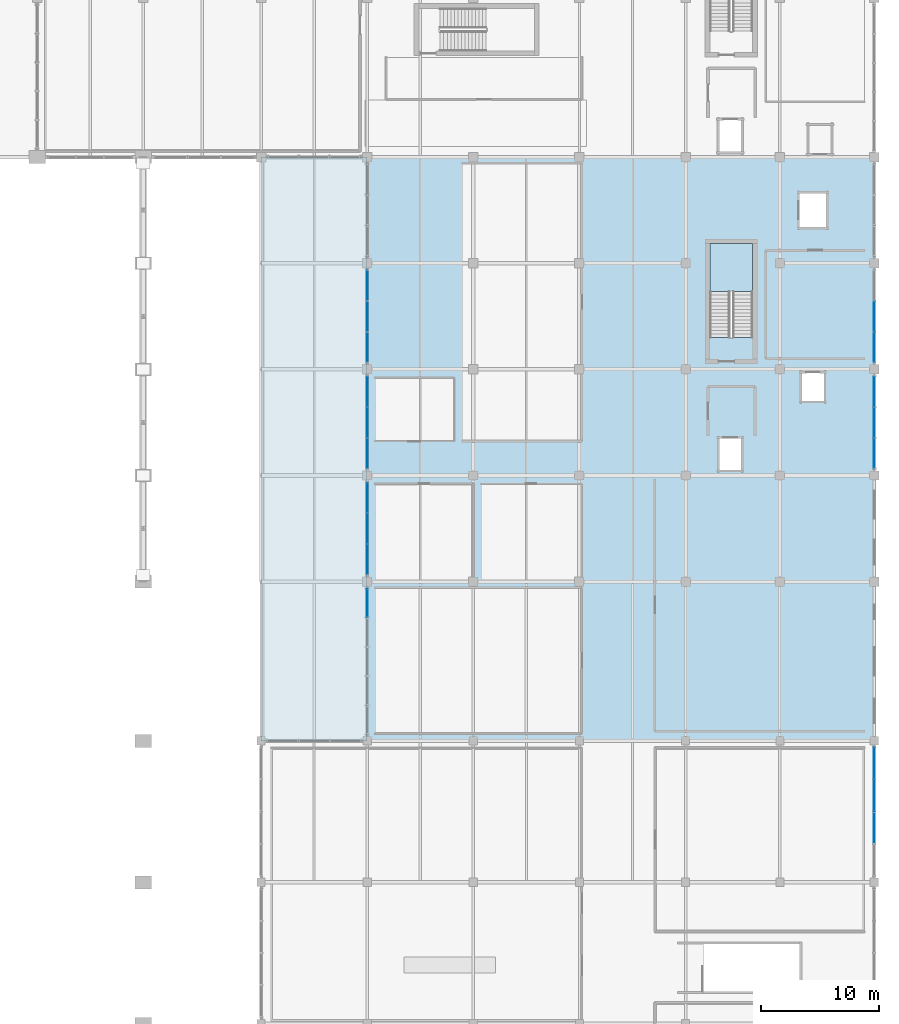
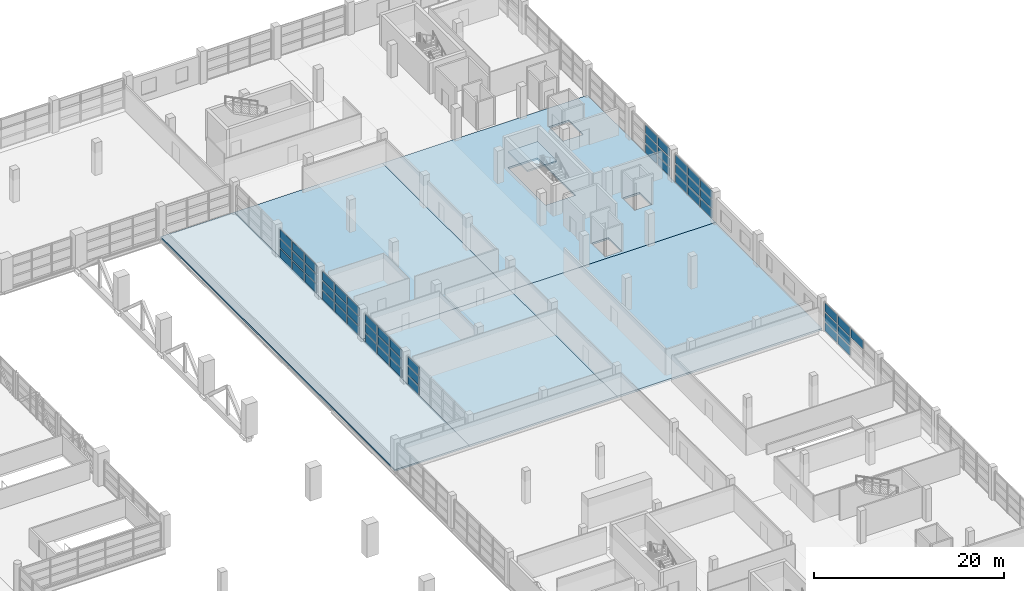
# One storey, part 113 of 136: 52 plates, 6 slabs, 8 elements without a shape of their own.
"""IFC4 building model written with IfcOpenShell, lengths in metres."""

from ifc_helpers import new_model, si_unit, direction, frame, origin, origin_2d, place, context, subcontext, project, spatial, polyline, rectangle, outline, extrude, material, layer, layer_set, type_object, element, aggregate, save


model = new_model("IFC4")

# Units and contexts
model_context = context("Model", 3, precision=1e-05, world=origin(), true_north=direction((0.0, 1.0)))
body_context = subcontext(model_context, "Body", "Model", "MODEL_VIEW")
ifc_project = project(units=[si_unit("LENGTHUNIT", "METRE"), si_unit("AREAUNIT", "SQUARE_METRE"), si_unit("VOLUMEUNIT", "CUBIC_METRE"), si_unit("PLANEANGLEUNIT", "RADIAN"), si_unit("MASSUNIT", "GRAM", prefix="KILO")], contexts=[model_context])

# Site, building, storey
site_placement = place(None, origin())
site = spatial("IfcSite", under=ifc_project, at=site_placement, CompositionType="ELEMENT")
building_placement = place(site_placement, origin())
building = spatial("IfcBuilding", under=site, at=building_placement, Name="Chuanluo Vaults Station", CompositionType="ELEMENT")
storey_placement = place(building_placement, frame((0.0, 0.0, 6.60009765625)))
storey = spatial("IfcBuildingStorey", under=building, at=storey_placement, Name="L01", CompositionType="ELEMENT", Elevation=6.60009765625)

# Curtain wall, plates
ifc_material_1 = material(Name="Anodised aluminium 6063-T6", Category="aluminium")
curtain_wall_type_1 = type_object("IfcCurtainWallType", Name="CW-SYS-19", PredefinedType="NOTDEFINED", material=ifc_material_1)
curtain_wall_1_placement = place(storey_placement, origin())
curtain_wall_1 = element("IfcCurtainWall", 1, at=curtain_wall_1_placement, inside=storey, type_object=curtain_wall_type_1, Name="Retail pavilion L01 facade CW", PredefinedType="NOTDEFINED")
ifc_material_2 = material(Name="Ceramic-fritted spandrel glass", Category="glass")
ifc_layer_1 = layer(ifc_material_2, 0.06396484375)
ifc_layer_set_1 = layer_set([ifc_layer_1], Name="Ceramic-fritted spandrel glass")
plate_type_1 = type_object("IfcPlateType", Name="CWP-SPN-42", PredefinedType="SHEET", material=ifc_layer_set_1)
plate_1_placement = place(storey_placement, frame((188.0, 52.106201171875, 0.080078125), z_axis=(0.0, 0.0, 1.0), x_axis=(0.0, -1.0, 0.0)))
plate_1 = element("IfcPlate", 2, at=plate_1_placement, type_object=plate_type_1, Name="Retail pavilion L01 facade CW glazed panel 1.1", PredefinedType="SHEET", context=body_context, shape_type="SweptSolid", body=[
    extrude(rectangle(XDim=2.577392578125, YDim=0.06396484375, at=origin_2d()), origin(), (0.0, 0.0, 1.0), 1.090087890625),
])
plate_2_placement = place(storey_placement, frame((188.0, 49.36865234375, 0.080078125), z_axis=(0.0, 0.0, 1.0), x_axis=(0.0, -1.0, 0.0)))
plate_2 = element("IfcPlate", 3, at=plate_2_placement, type_object=plate_type_1, Name="Retail pavilion L01 facade CW glazed panel 2.1", PredefinedType="SHEET", context=body_context, shape_type="SweptSolid", body=[
    extrude(rectangle(XDim=2.577392578125, YDim=0.06396484375, at=origin_2d()), origin(), (0.0, 0.0, 1.0), 1.090087890625),
])

# Curtain wall, plate
ifc_material_3 = material(Name="Anodised aluminium 6063-T6", Category="aluminium")
curtain_wall_type_2 = type_object("IfcCurtainWallType", Name="CW-SYS-09", PredefinedType="NOTDEFINED", material=ifc_material_3)
curtain_wall_2_placement = place(storey_placement, origin())
curtain_wall_2 = element("IfcCurtainWall", 4, at=curtain_wall_2_placement, inside=storey, type_object=curtain_wall_type_2, Name="Operations L01 facade CW", PredefinedType="NOTDEFINED")
plate_3_placement = place(storey_placement, frame((145.0, 65.68505859375, 0.080078125), z_axis=(0.0, 0.0, 1.0), x_axis=(0.0, 1.0, 0.0)))
plate_3 = element("IfcPlate", 5, at=plate_3_placement, type_object=plate_type_1, Name="Operations L01 facade CW glazed panel 5.1", PredefinedType="SHEET", context=body_context, shape_type="SweptSolid", body=[
    extrude(rectangle(XDim=2.320068359375, YDim=0.06396484375, at=origin_2d()), origin(), (0.0, 0.0, 1.0), 1.090087890625),
])

# Curtain wall, plates
ifc_material_4 = material(Name="Anodised aluminium 6063-T6", Category="aluminium")
curtain_wall_type_3 = type_object("IfcCurtainWallType", Name="CW-SYS-11", PredefinedType="NOTDEFINED", material=ifc_material_4)
curtain_wall_3_placement = place(storey_placement, origin())
curtain_wall_3 = element("IfcCurtainWall", 6, at=curtain_wall_3_placement, inside=storey, type_object=curtain_wall_type_3, Name="Operations L01 facade CW", PredefinedType="NOTDEFINED")
plate_4_placement = place(storey_placement, frame((145.0, 78.38330078125, 0.080078125), z_axis=(0.0, 0.0, 1.0), x_axis=(0.0, 1.0, 0.0)))
plate_4 = element("IfcPlate", 7, at=plate_4_placement, type_object=plate_type_1, Name="Operations L01 facade CW glazed panel 1.1", PredefinedType="SHEET", context=body_context, shape_type="SweptSolid", body=[
    extrude(rectangle(XDim=2.456787109375, YDim=0.06396484375, at=origin_2d()), origin(), (0.0, 0.0, 1.0), 1.090087890625),
])
plate_5_placement = place(storey_placement, frame((145.0, 81.0, 0.080078125), z_axis=(0.0, 0.0, 1.0), x_axis=(0.0, 1.0, 0.0)))
plate_5 = element("IfcPlate", 8, at=plate_5_placement, type_object=plate_type_1, Name="Operations L01 facade CW glazed panel 2.1", PredefinedType="SHEET", context=body_context, shape_type="SweptSolid", body=[
    extrude(rectangle(XDim=2.456787109375, YDim=0.06396484375, at=origin_2d()), origin(), (0.0, 0.0, 1.0), 1.090087890625),
])
plate_6_placement = place(storey_placement, frame((145.0, 83.61669921875, 0.080078125), z_axis=(0.0, 0.0, 1.0), x_axis=(0.0, 1.0, 0.0)))
plate_6 = element("IfcPlate", 9, at=plate_6_placement, type_object=plate_type_1, Name="Operations L01 facade CW glazed panel 3.1", PredefinedType="SHEET", context=body_context, shape_type="SweptSolid", body=[
    extrude(rectangle(XDim=2.456787109375, YDim=0.06396484375, at=origin_2d()), origin(), (0.0, 0.0, 1.0), 1.090087890625),
])

ifc_material_5 = material(Name="Anodised aluminium 6063-T6", Category="aluminium")
curtain_wall_type_4 = type_object("IfcCurtainWallType", Name="CW-SYS-25", PredefinedType="NOTDEFINED", material=ifc_material_5)
curtain_wall_4_placement = place(storey_placement, origin())
curtain_wall_4 = element("IfcCurtainWall", 10, at=curtain_wall_4_placement, inside=storey, type_object=curtain_wall_type_4, Name="Operations L01 facade CW", PredefinedType="NOTDEFINED")
plate_7_placement = place(storey_placement, frame((188.0, 83.61669921875, 0.080078125), z_axis=(0.0, 0.0, 1.0), x_axis=(0.0, -1.0, 0.0)))
plate_7 = element("IfcPlate", 11, at=plate_7_placement, type_object=plate_type_1, Name="Operations L01 facade CW glazed panel 1.1", PredefinedType="SHEET", context=body_context, shape_type="SweptSolid", body=[
    extrude(rectangle(XDim=2.456787109375, YDim=0.06396484375, at=origin_2d()), origin(), (0.0, 0.0, 1.0), 1.090087890625),
])
plate_8_placement = place(storey_placement, frame((188.0, 81.0, 0.080078125), z_axis=(0.0, 0.0, 1.0), x_axis=(0.0, -1.0, 0.0)))
plate_8 = element("IfcPlate", 12, at=plate_8_placement, type_object=plate_type_1, Name="Operations L01 facade CW glazed panel 2.1", PredefinedType="SHEET", context=body_context, shape_type="SweptSolid", body=[
    extrude(rectangle(XDim=2.456787109375, YDim=0.06396484375, at=origin_2d()), origin(), (0.0, 0.0, 1.0), 1.090087890625),
])
plate_9_placement = place(storey_placement, frame((188.0, 78.38330078125, 0.080078125), z_axis=(0.0, 0.0, 1.0), x_axis=(0.0, -1.0, 0.0)))
plate_9 = element("IfcPlate", 13, at=plate_9_placement, type_object=plate_type_1, Name="Operations L01 facade CW glazed panel 3.1", PredefinedType="SHEET", context=body_context, shape_type="SweptSolid", body=[
    extrude(rectangle(XDim=2.456787109375, YDim=0.06396484375, at=origin_2d()), origin(), (0.0, 0.0, 1.0), 1.090087890625),
])

ifc_material_6 = material(Name="Anodised aluminium 6063-T6", Category="aluminium")
curtain_wall_type_5 = type_object("IfcCurtainWallType", Name="CW-SYS-10", PredefinedType="NOTDEFINED", material=ifc_material_6)
curtain_wall_5_placement = place(storey_placement, origin())
curtain_wall_5 = element("IfcCurtainWall", 14, at=curtain_wall_5_placement, inside=storey, type_object=curtain_wall_type_5, Name="Operations L01 facade CW", PredefinedType="NOTDEFINED")
ifc_material_7 = material(Name="Ceramic-fritted spandrel glass", Category="glass")
ifc_layer_2 = layer(ifc_material_7, 0.070068359375)
ifc_layer_set_2 = layer_set([ifc_layer_2], Name="Ceramic-fritted spandrel glass")
plate_type_2 = type_object("IfcPlateType", Name="CWP-SPN-50", PredefinedType="SHEET", material=ifc_layer_set_2)
plate_10_placement = place(storey_placement, frame((145.0, 69.38330078125, 0.080078125), z_axis=(0.0, 0.0, 1.0), x_axis=(0.0, 1.0, 0.0)))
plate_10 = element("IfcPlate", 15, at=plate_10_placement, type_object=plate_type_2, Name="Operations L01 facade CW glazed panel 1.1", PredefinedType="SHEET", context=body_context, shape_type="SweptSolid", body=[
    extrude(rectangle(XDim=2.456787109375, YDim=0.070068359375, at=origin_2d()), origin(), (0.0, 0.0, 1.0), 1.090087890625),
])
plate_11_placement = place(storey_placement, frame((145.0, 72.0, 0.080078125), z_axis=(0.0, 0.0, 1.0), x_axis=(0.0, 1.0, 0.0)))
plate_11 = element("IfcPlate", 16, at=plate_11_placement, type_object=plate_type_2, Name="Operations L01 facade CW glazed panel 2.1", PredefinedType="SHEET", context=body_context, shape_type="SweptSolid", body=[
    extrude(rectangle(XDim=2.456787109375, YDim=0.070068359375, at=origin_2d()), origin(), (0.0, 0.0, 1.0), 1.090087890625),
])
plate_12_placement = place(storey_placement, frame((145.0, 74.61669921875, 0.080078125), z_axis=(0.0, 0.0, 1.0), x_axis=(0.0, 1.0, 0.0)))
plate_12 = element("IfcPlate", 17, at=plate_12_placement, type_object=plate_type_2, Name="Operations L01 facade CW glazed panel 3.1", PredefinedType="SHEET", context=body_context, shape_type="SweptSolid", body=[
    extrude(rectangle(XDim=2.456787109375, YDim=0.070068359375, at=origin_2d()), origin(), (0.0, 0.0, 1.0), 1.090087890625),
])

ifc_material_8 = material(Name="Anodised aluminium 6063-T6", Category="aluminium")
curtain_wall_type_6 = type_object("IfcCurtainWallType", Name="CW-SYS-12", PredefinedType="NOTDEFINED", material=ifc_material_8)
curtain_wall_6_placement = place(storey_placement, origin())
curtain_wall_6 = element("IfcCurtainWall", 18, at=curtain_wall_6_placement, inside=storey, type_object=curtain_wall_type_6, Name="Operations L01 facade CW", PredefinedType="NOTDEFINED")
plate_13_placement = place(storey_placement, frame((145.0, 87.38330078125, 0.080078125), z_axis=(0.0, 0.0, 1.0), x_axis=(0.0, 1.0, 0.0)))
plate_13 = element("IfcPlate", 19, at=plate_13_placement, type_object=plate_type_2, Name="Operations L01 facade CW glazed panel 1.1", PredefinedType="SHEET", context=body_context, shape_type="SweptSolid", body=[
    extrude(rectangle(XDim=2.456787109375, YDim=0.070068359375, at=origin_2d()), origin(), (0.0, 0.0, 1.0), 1.090087890625),
])
plate_14_placement = place(storey_placement, frame((145.0, 90.0, 0.080078125), z_axis=(0.0, 0.0, 1.0), x_axis=(0.0, 1.0, 0.0)))
plate_14 = element("IfcPlate", 20, at=plate_14_placement, type_object=plate_type_2, Name="Operations L01 facade CW glazed panel 2.1", PredefinedType="SHEET", context=body_context, shape_type="SweptSolid", body=[
    extrude(rectangle(XDim=2.456787109375, YDim=0.070068359375, at=origin_2d()), origin(), (0.0, 0.0, 1.0), 1.090087890625),
])
plate_15_placement = place(storey_placement, frame((145.0, 92.61669921875, 0.080078125), z_axis=(0.0, 0.0, 1.0), x_axis=(0.0, 1.0, 0.0)))
plate_15 = element("IfcPlate", 21, at=plate_15_placement, type_object=plate_type_2, Name="Operations L01 facade CW glazed panel 3.1", PredefinedType="SHEET", context=body_context, shape_type="SweptSolid", body=[
    extrude(rectangle(XDim=2.456787109375, YDim=0.070068359375, at=origin_2d()), origin(), (0.0, 0.0, 1.0), 1.090087890625),
])

ifc_material_9 = material(Name="Anodised aluminium 6063-T6", Category="aluminium")
curtain_wall_type_7 = type_object("IfcCurtainWallType", Name="CW-SYS-26", PredefinedType="NOTDEFINED", material=ifc_material_9)
curtain_wall_7_placement = place(storey_placement, origin())
curtain_wall_7 = element("IfcCurtainWall", 22, at=curtain_wall_7_placement, inside=storey, type_object=curtain_wall_type_7, Name="Operations L01 facade CW", PredefinedType="NOTDEFINED")
plate_16_placement = place(storey_placement, frame((188.0, 90.0, 0.080078125), z_axis=(0.0, 0.0, 1.0), x_axis=(0.0, -1.0, 0.0)))
plate_16 = element("IfcPlate", 23, at=plate_16_placement, type_object=plate_type_2, Name="Operations L01 facade CW glazed panel 2.1", PredefinedType="SHEET", context=body_context, shape_type="SweptSolid", body=[
    extrude(rectangle(XDim=2.456787109375, YDim=0.070068359375, at=origin_2d()), origin(), (0.0, 0.0, 1.0), 1.090087890625),
])
plate_17_placement = place(storey_placement, frame((188.0, 87.38330078125, 0.080078125), z_axis=(0.0, 0.0, 1.0), x_axis=(0.0, -1.0, 0.0)))
plate_17 = element("IfcPlate", 24, at=plate_17_placement, type_object=plate_type_2, Name="Operations L01 facade CW glazed panel 3.1", PredefinedType="SHEET", context=body_context, shape_type="SweptSolid", body=[
    extrude(rectangle(XDim=2.456787109375, YDim=0.070068359375, at=origin_2d()), origin(), (0.0, 0.0, 1.0), 1.090087890625),
])

# Plate
ifc_material_10 = material(Name="Double-silver Low-E laminated glass", Category="glass")
ifc_layer_3 = layer(ifc_material_10, 0.0439453125)
ifc_layer_set_3 = layer_set([ifc_layer_3], Name="Double-silver Low-E laminated glass")
plate_type_3 = type_object("IfcPlateType", Name="CWP-VIS-28", PredefinedType="CURTAIN_PANEL", material=ifc_layer_set_3)
plate_18_placement = place(storey_placement, frame((145.0, 87.38330078125, 1.330078125), z_axis=(0.0, 0.0, 1.0), x_axis=(0.0, 1.0, 0.0)))
plate_18 = element("IfcPlate", 25, at=plate_18_placement, type_object=plate_type_3, Name="Operations L01 facade CW glazed panel 1.2", PredefinedType="CURTAIN_PANEL", context=body_context, shape_type="SweptSolid", body=[
    extrude(rectangle(XDim=2.456787109375, YDim=0.0439453125, at=origin_2d()), origin(), (0.0, 0.0, 1.0), 1.090087890625),
])

plate_19_placement = place(storey_placement, frame((145.0, 87.38330078125, 2.580078125), z_axis=(0.0, 0.0, 1.0), x_axis=(0.0, 1.0, 0.0)))
plate_19 = element("IfcPlate", 26, at=plate_19_placement, type_object=plate_type_3, Name="Operations L01 facade CW glazed panel 1.3", PredefinedType="CURTAIN_PANEL", context=body_context, shape_type="SweptSolid", body=[
    extrude(rectangle(XDim=2.456787109375, YDim=0.0439453125, at=origin_2d()), origin(), (0.0, 0.0, 1.0), 1.090087890625),
])

plate_20_placement = place(storey_placement, frame((145.0, 90.0, 1.330078125), z_axis=(0.0, 0.0, 1.0), x_axis=(0.0, 1.0, 0.0)))
plate_20 = element("IfcPlate", 27, at=plate_20_placement, type_object=plate_type_3, Name="Operations L01 facade CW glazed panel 2.2", PredefinedType="CURTAIN_PANEL", context=body_context, shape_type="SweptSolid", body=[
    extrude(rectangle(XDim=2.456787109375, YDim=0.0439453125, at=origin_2d()), origin(), (0.0, 0.0, 1.0), 1.090087890625),
])

plate_21_placement = place(storey_placement, frame((145.0, 90.0, 2.580078125), z_axis=(0.0, 0.0, 1.0), x_axis=(0.0, 1.0, 0.0)))
plate_21 = element("IfcPlate", 28, at=plate_21_placement, type_object=plate_type_3, Name="Operations L01 facade CW glazed panel 2.3", PredefinedType="CURTAIN_PANEL", context=body_context, shape_type="SweptSolid", body=[
    extrude(rectangle(XDim=2.456787109375, YDim=0.0439453125, at=origin_2d()), origin(), (0.0, 0.0, 1.0), 1.090087890625),
])

plate_22_placement = place(storey_placement, frame((145.0, 92.61669921875, 1.330078125), z_axis=(0.0, 0.0, 1.0), x_axis=(0.0, 1.0, 0.0)))
plate_22 = element("IfcPlate", 29, at=plate_22_placement, type_object=plate_type_3, Name="Operations L01 facade CW glazed panel 3.2", PredefinedType="CURTAIN_PANEL", context=body_context, shape_type="SweptSolid", body=[
    extrude(rectangle(XDim=2.456787109375, YDim=0.0439453125, at=origin_2d()), origin(), (0.0, 0.0, 1.0), 1.090087890625),
])

plate_23_placement = place(storey_placement, frame((145.0, 92.61669921875, 2.580078125), z_axis=(0.0, 0.0, 1.0), x_axis=(0.0, 1.0, 0.0)))
plate_23 = element("IfcPlate", 30, at=plate_23_placement, type_object=plate_type_3, Name="Operations L01 facade CW glazed panel 3.3", PredefinedType="CURTAIN_PANEL", context=body_context, shape_type="SweptSolid", body=[
    extrude(rectangle(XDim=2.456787109375, YDim=0.0439453125, at=origin_2d()), origin(), (0.0, 0.0, 1.0), 1.090087890625),
])

aggregate(curtain_wall_6, [plate_13, plate_18, plate_19, plate_14, plate_20, plate_21, plate_15, plate_22, plate_23])

ifc_material_11 = material(Name="Double-silver Low-E laminated glass", Category="glass")
ifc_layer_4 = layer(ifc_material_11, 0.048095703125)
ifc_layer_set_4 = layer_set([ifc_layer_4], Name="Double-silver Low-E laminated glass")
plate_type_4 = type_object("IfcPlateType", Name="CWP-VIS-32", PredefinedType="CURTAIN_PANEL", material=ifc_layer_set_4)
plate_24_placement = place(storey_placement, frame((188.0, 52.106201171875, 1.330078125), z_axis=(0.0, 0.0, 1.0), x_axis=(0.0, -1.0, 0.0)))
plate_24 = element("IfcPlate", 31, at=plate_24_placement, type_object=plate_type_4, Name="Retail pavilion L01 facade CW glazed panel 1.2", PredefinedType="CURTAIN_PANEL", context=body_context, shape_type="SweptSolid", body=[
    extrude(rectangle(XDim=2.577392578125, YDim=0.048095703125, at=origin_2d()), origin(), (0.0, 0.0, 1.0), 1.090087890625),
])

plate_25_placement = place(storey_placement, frame((188.0, 52.106201171875, 2.580078125), z_axis=(0.0, 0.0, 1.0), x_axis=(0.0, -1.0, 0.0)))
plate_25 = element("IfcPlate", 32, at=plate_25_placement, type_object=plate_type_4, Name="Retail pavilion L01 facade CW glazed panel 1.3", PredefinedType="CURTAIN_PANEL", context=body_context, shape_type="SweptSolid", body=[
    extrude(rectangle(XDim=2.577392578125, YDim=0.048095703125, at=origin_2d()), origin(), (0.0, 0.0, 1.0), 1.090087890625),
])

plate_26_placement = place(storey_placement, frame((188.0, 49.36865234375, 1.330078125), z_axis=(0.0, 0.0, 1.0), x_axis=(0.0, -1.0, 0.0)))
plate_26 = element("IfcPlate", 33, at=plate_26_placement, type_object=plate_type_4, Name="Retail pavilion L01 facade CW glazed panel 2.2", PredefinedType="CURTAIN_PANEL", context=body_context, shape_type="SweptSolid", body=[
    extrude(rectangle(XDim=2.577392578125, YDim=0.048095703125, at=origin_2d()), origin(), (0.0, 0.0, 1.0), 1.090087890625),
])

plate_27_placement = place(storey_placement, frame((188.0, 49.36865234375, 2.580078125), z_axis=(0.0, 0.0, 1.0), x_axis=(0.0, -1.0, 0.0)))
plate_27 = element("IfcPlate", 34, at=plate_27_placement, type_object=plate_type_4, Name="Retail pavilion L01 facade CW glazed panel 2.3", PredefinedType="CURTAIN_PANEL", context=body_context, shape_type="SweptSolid", body=[
    extrude(rectangle(XDim=2.577392578125, YDim=0.048095703125, at=origin_2d()), origin(), (0.0, 0.0, 1.0), 1.090087890625),
])

plate_28_placement = place(storey_placement, frame((188.0, 46.63134765625, 2.580078125), z_axis=(0.0, 0.0, 1.0), x_axis=(0.0, -1.0, 0.0)))
plate_28 = element("IfcPlate", 35, at=plate_28_placement, type_object=plate_type_4, Name="Retail pavilion L01 facade CW glazed panel 3.3", PredefinedType="CURTAIN_PANEL", context=body_context, shape_type="SweptSolid", body=[
    extrude(rectangle(XDim=2.577392578125, YDim=0.048095703125, at=origin_2d()), origin(), (0.0, 0.0, 1.0), 1.090087890625),
])

aggregate(curtain_wall_1, [plate_1, plate_24, plate_25, plate_2, plate_26, plate_27, plate_28])

plate_29_placement = place(storey_placement, frame((145.0, 78.38330078125, 1.330078125), z_axis=(0.0, 0.0, 1.0), x_axis=(0.0, 1.0, 0.0)))
plate_29 = element("IfcPlate", 36, at=plate_29_placement, type_object=plate_type_4, Name="Operations L01 facade CW glazed panel 1.2", PredefinedType="CURTAIN_PANEL", context=body_context, shape_type="SweptSolid", body=[
    extrude(rectangle(XDim=2.456787109375, YDim=0.048095703125, at=origin_2d()), origin(), (0.0, 0.0, 1.0), 1.090087890625),
])

plate_30_placement = place(storey_placement, frame((145.0, 78.38330078125, 2.580078125), z_axis=(0.0, 0.0, 1.0), x_axis=(0.0, 1.0, 0.0)))
plate_30 = element("IfcPlate", 37, at=plate_30_placement, type_object=plate_type_4, Name="Operations L01 facade CW glazed panel 1.3", PredefinedType="CURTAIN_PANEL", context=body_context, shape_type="SweptSolid", body=[
    extrude(rectangle(XDim=2.456787109375, YDim=0.048095703125, at=origin_2d()), origin(), (0.0, 0.0, 1.0), 1.090087890625),
])

plate_31_placement = place(storey_placement, frame((145.0, 81.0, 1.330078125), z_axis=(0.0, 0.0, 1.0), x_axis=(0.0, 1.0, 0.0)))
plate_31 = element("IfcPlate", 38, at=plate_31_placement, type_object=plate_type_4, Name="Operations L01 facade CW glazed panel 2.2", PredefinedType="CURTAIN_PANEL", context=body_context, shape_type="SweptSolid", body=[
    extrude(rectangle(XDim=2.456787109375, YDim=0.048095703125, at=origin_2d()), origin(), (0.0, 0.0, 1.0), 1.090087890625),
])

plate_32_placement = place(storey_placement, frame((145.0, 81.0, 2.580078125), z_axis=(0.0, 0.0, 1.0), x_axis=(0.0, 1.0, 0.0)))
plate_32 = element("IfcPlate", 39, at=plate_32_placement, type_object=plate_type_4, Name="Operations L01 facade CW glazed panel 2.3", PredefinedType="CURTAIN_PANEL", context=body_context, shape_type="SweptSolid", body=[
    extrude(rectangle(XDim=2.456787109375, YDim=0.048095703125, at=origin_2d()), origin(), (0.0, 0.0, 1.0), 1.090087890625),
])

plate_33_placement = place(storey_placement, frame((145.0, 83.61669921875, 1.330078125), z_axis=(0.0, 0.0, 1.0), x_axis=(0.0, 1.0, 0.0)))
plate_33 = element("IfcPlate", 40, at=plate_33_placement, type_object=plate_type_4, Name="Operations L01 facade CW glazed panel 3.2", PredefinedType="CURTAIN_PANEL", context=body_context, shape_type="SweptSolid", body=[
    extrude(rectangle(XDim=2.456787109375, YDim=0.048095703125, at=origin_2d()), origin(), (0.0, 0.0, 1.0), 1.090087890625),
])

plate_34_placement = place(storey_placement, frame((145.0, 83.61669921875, 2.580078125), z_axis=(0.0, 0.0, 1.0), x_axis=(0.0, 1.0, 0.0)))
plate_34 = element("IfcPlate", 41, at=plate_34_placement, type_object=plate_type_4, Name="Operations L01 facade CW glazed panel 3.3", PredefinedType="CURTAIN_PANEL", context=body_context, shape_type="SweptSolid", body=[
    extrude(rectangle(XDim=2.456787109375, YDim=0.048095703125, at=origin_2d()), origin(), (0.0, 0.0, 1.0), 1.090087890625),
])

aggregate(curtain_wall_3, [plate_4, plate_29, plate_30, plate_5, plate_31, plate_32, plate_6, plate_33, plate_34])

ifc_material_12 = material(Name="Double-silver Low-E laminated glass", Category="glass")
ifc_layer_5 = layer(ifc_material_12, 0.053955078125)
ifc_layer_set_5 = layer_set([ifc_layer_5], Name="Double-silver Low-E laminated glass")
plate_type_5 = type_object("IfcPlateType", Name="CWP-VIS-36", PredefinedType="CURTAIN_PANEL", material=ifc_layer_set_5)
plate_35_placement = place(storey_placement, frame((145.0, 69.38330078125, 1.330078125), z_axis=(0.0, 0.0, 1.0), x_axis=(0.0, 1.0, 0.0)))
plate_35 = element("IfcPlate", 42, at=plate_35_placement, type_object=plate_type_5, Name="Operations L01 facade CW glazed panel 1.2", PredefinedType="CURTAIN_PANEL", context=body_context, shape_type="SweptSolid", body=[
    extrude(rectangle(XDim=2.456787109375, YDim=0.053955078125, at=origin_2d()), origin(), (0.0, 0.0, 1.0), 1.090087890625),
])

plate_36_placement = place(storey_placement, frame((145.0, 69.38330078125, 2.580078125), z_axis=(0.0, 0.0, 1.0), x_axis=(0.0, 1.0, 0.0)))
plate_36 = element("IfcPlate", 43, at=plate_36_placement, type_object=plate_type_5, Name="Operations L01 facade CW glazed panel 1.3", PredefinedType="CURTAIN_PANEL", context=body_context, shape_type="SweptSolid", body=[
    extrude(rectangle(XDim=2.456787109375, YDim=0.053955078125, at=origin_2d()), origin(), (0.0, 0.0, 1.0), 1.090087890625),
])

plate_37_placement = place(storey_placement, frame((145.0, 72.0, 1.330078125), z_axis=(0.0, 0.0, 1.0), x_axis=(0.0, 1.0, 0.0)))
plate_37 = element("IfcPlate", 44, at=plate_37_placement, type_object=plate_type_5, Name="Operations L01 facade CW glazed panel 2.2", PredefinedType="CURTAIN_PANEL", context=body_context, shape_type="SweptSolid", body=[
    extrude(rectangle(XDim=2.456787109375, YDim=0.053955078125, at=origin_2d()), origin(), (0.0, 0.0, 1.0), 1.090087890625),
])

plate_38_placement = place(storey_placement, frame((145.0, 72.0, 2.580078125), z_axis=(0.0, 0.0, 1.0), x_axis=(0.0, 1.0, 0.0)))
plate_38 = element("IfcPlate", 45, at=plate_38_placement, type_object=plate_type_5, Name="Operations L01 facade CW glazed panel 2.3", PredefinedType="CURTAIN_PANEL", context=body_context, shape_type="SweptSolid", body=[
    extrude(rectangle(XDim=2.456787109375, YDim=0.053955078125, at=origin_2d()), origin(), (0.0, 0.0, 1.0), 1.090087890625),
])

plate_39_placement = place(storey_placement, frame((145.0, 74.61669921875, 1.330078125), z_axis=(0.0, 0.0, 1.0), x_axis=(0.0, 1.0, 0.0)))
plate_39 = element("IfcPlate", 46, at=plate_39_placement, type_object=plate_type_5, Name="Operations L01 facade CW glazed panel 3.2", PredefinedType="CURTAIN_PANEL", context=body_context, shape_type="SweptSolid", body=[
    extrude(rectangle(XDim=2.456787109375, YDim=0.053955078125, at=origin_2d()), origin(), (0.0, 0.0, 1.0), 1.090087890625),
])

plate_40_placement = place(storey_placement, frame((145.0, 74.61669921875, 2.580078125), z_axis=(0.0, 0.0, 1.0), x_axis=(0.0, 1.0, 0.0)))
plate_40 = element("IfcPlate", 47, at=plate_40_placement, type_object=plate_type_5, Name="Operations L01 facade CW glazed panel 3.3", PredefinedType="CURTAIN_PANEL", context=body_context, shape_type="SweptSolid", body=[
    extrude(rectangle(XDim=2.456787109375, YDim=0.053955078125, at=origin_2d()), origin(), (0.0, 0.0, 1.0), 1.090087890625),
])

aggregate(curtain_wall_5, [plate_10, plate_35, plate_36, plate_11, plate_37, plate_38, plate_12, plate_39, plate_40])

plate_41_placement = place(storey_placement, frame((188.0, 90.0, 1.330078125), z_axis=(0.0, 0.0, 1.0), x_axis=(0.0, -1.0, 0.0)))
plate_41 = element("IfcPlate", 48, at=plate_41_placement, type_object=plate_type_5, Name="Operations L01 facade CW glazed panel 2.2", PredefinedType="CURTAIN_PANEL", context=body_context, shape_type="SweptSolid", body=[
    extrude(rectangle(XDim=2.456787109375, YDim=0.053955078125, at=origin_2d()), origin(), (0.0, 0.0, 1.0), 1.090087890625),
])

plate_42_placement = place(storey_placement, frame((188.0, 90.0, 2.580078125), z_axis=(0.0, 0.0, 1.0), x_axis=(0.0, -1.0, 0.0)))
plate_42 = element("IfcPlate", 49, at=plate_42_placement, type_object=plate_type_5, Name="Operations L01 facade CW glazed panel 2.3", PredefinedType="CURTAIN_PANEL", context=body_context, shape_type="SweptSolid", body=[
    extrude(rectangle(XDim=2.456787109375, YDim=0.053955078125, at=origin_2d()), origin(), (0.0, 0.0, 1.0), 1.090087890625),
])

plate_43_placement = place(storey_placement, frame((188.0, 87.38330078125, 1.330078125), z_axis=(0.0, 0.0, 1.0), x_axis=(0.0, -1.0, 0.0)))
plate_43 = element("IfcPlate", 50, at=plate_43_placement, type_object=plate_type_5, Name="Operations L01 facade CW glazed panel 3.2", PredefinedType="CURTAIN_PANEL", context=body_context, shape_type="SweptSolid", body=[
    extrude(rectangle(XDim=2.456787109375, YDim=0.053955078125, at=origin_2d()), origin(), (0.0, 0.0, 1.0), 1.090087890625),
])

plate_44_placement = place(storey_placement, frame((188.0, 87.38330078125, 2.580078125), z_axis=(0.0, 0.0, 1.0), x_axis=(0.0, -1.0, 0.0)))
plate_44 = element("IfcPlate", 51, at=plate_44_placement, type_object=plate_type_5, Name="Operations L01 facade CW glazed panel 3.3", PredefinedType="CURTAIN_PANEL", context=body_context, shape_type="SweptSolid", body=[
    extrude(rectangle(XDim=2.456787109375, YDim=0.053955078125, at=origin_2d()), origin(), (0.0, 0.0, 1.0), 1.090087890625),
])

aggregate(curtain_wall_7, [plate_16, plate_41, plate_42, plate_17, plate_43, plate_44])

ifc_material_13 = material(Name="Double-silver Low-E laminated glass", Category="glass")
ifc_layer_6 = layer(ifc_material_13, 0.05810546875)
ifc_layer_set_6 = layer_set([ifc_layer_6], Name="Double-silver Low-E laminated glass")
plate_type_6 = type_object("IfcPlateType", Name="CWP-VIS-38", PredefinedType="CURTAIN_PANEL", material=ifc_layer_set_6)
plate_45_placement = place(storey_placement, frame((145.0, 65.68505859375, 1.330078125), z_axis=(0.0, 0.0, 1.0), x_axis=(0.0, 1.0, 0.0)))
plate_45 = element("IfcPlate", 52, at=plate_45_placement, type_object=plate_type_6, Name="Operations L01 facade CW glazed panel 5.2", PredefinedType="CURTAIN_PANEL", context=body_context, shape_type="SweptSolid", body=[
    extrude(rectangle(XDim=2.320068359375, YDim=0.05810546875, at=origin_2d()), origin(), (0.0, 0.0, 1.0), 1.090087890625),
])

plate_46_placement = place(storey_placement, frame((145.0, 65.68505859375, 2.580078125), z_axis=(0.0, 0.0, 1.0), x_axis=(0.0, 1.0, 0.0)))
plate_46 = element("IfcPlate", 53, at=plate_46_placement, type_object=plate_type_6, Name="Operations L01 facade CW glazed panel 5.3", PredefinedType="CURTAIN_PANEL", context=body_context, shape_type="SweptSolid", body=[
    extrude(rectangle(XDim=2.320068359375, YDim=0.05810546875, at=origin_2d()), origin(), (0.0, 0.0, 1.0), 1.090087890625),
])

aggregate(curtain_wall_2, [plate_3, plate_45, plate_46])

plate_47_placement = place(storey_placement, frame((188.0, 83.61669921875, 1.330078125), z_axis=(0.0, 0.0, 1.0), x_axis=(0.0, -1.0, 0.0)))
plate_47 = element("IfcPlate", 54, at=plate_47_placement, type_object=plate_type_6, Name="Operations L01 facade CW glazed panel 1.2", PredefinedType="CURTAIN_PANEL", context=body_context, shape_type="SweptSolid", body=[
    extrude(rectangle(XDim=2.456787109375, YDim=0.05810546875, at=origin_2d()), origin(), (0.0, 0.0, 1.0), 1.090087890625),
])

plate_48_placement = place(storey_placement, frame((188.0, 83.61669921875, 2.580078125), z_axis=(0.0, 0.0, 1.0), x_axis=(0.0, -1.0, 0.0)))
plate_48 = element("IfcPlate", 55, at=plate_48_placement, type_object=plate_type_6, Name="Operations L01 facade CW glazed panel 1.3", PredefinedType="CURTAIN_PANEL", context=body_context, shape_type="SweptSolid", body=[
    extrude(rectangle(XDim=2.456787109375, YDim=0.05810546875, at=origin_2d()), origin(), (0.0, 0.0, 1.0), 1.090087890625),
])

plate_49_placement = place(storey_placement, frame((188.0, 81.0, 1.330078125), z_axis=(0.0, 0.0, 1.0), x_axis=(0.0, -1.0, 0.0)))
plate_49 = element("IfcPlate", 56, at=plate_49_placement, type_object=plate_type_6, Name="Operations L01 facade CW glazed panel 2.2", PredefinedType="CURTAIN_PANEL", context=body_context, shape_type="SweptSolid", body=[
    extrude(rectangle(XDim=2.456787109375, YDim=0.05810546875, at=origin_2d()), origin(), (0.0, 0.0, 1.0), 1.090087890625),
])

plate_50_placement = place(storey_placement, frame((188.0, 81.0, 2.580078125), z_axis=(0.0, 0.0, 1.0), x_axis=(0.0, -1.0, 0.0)))
plate_50 = element("IfcPlate", 57, at=plate_50_placement, type_object=plate_type_6, Name="Operations L01 facade CW glazed panel 2.3", PredefinedType="CURTAIN_PANEL", context=body_context, shape_type="SweptSolid", body=[
    extrude(rectangle(XDim=2.456787109375, YDim=0.05810546875, at=origin_2d()), origin(), (0.0, 0.0, 1.0), 1.090087890625),
])

plate_51_placement = place(storey_placement, frame((188.0, 78.38330078125, 1.330078125), z_axis=(0.0, 0.0, 1.0), x_axis=(0.0, -1.0, 0.0)))
plate_51 = element("IfcPlate", 58, at=plate_51_placement, type_object=plate_type_6, Name="Operations L01 facade CW glazed panel 3.2", PredefinedType="CURTAIN_PANEL", context=body_context, shape_type="SweptSolid", body=[
    extrude(rectangle(XDim=2.456787109375, YDim=0.05810546875, at=origin_2d()), origin(), (0.0, 0.0, 1.0), 1.090087890625),
])

plate_52_placement = place(storey_placement, frame((188.0, 78.38330078125, 2.580078125), z_axis=(0.0, 0.0, 1.0), x_axis=(0.0, -1.0, 0.0)))
plate_52 = element("IfcPlate", 59, at=plate_52_placement, type_object=plate_type_6, Name="Operations L01 facade CW glazed panel 3.3", PredefinedType="CURTAIN_PANEL", context=body_context, shape_type="SweptSolid", body=[
    extrude(rectangle(XDim=2.456787109375, YDim=0.05810546875, at=origin_2d()), origin(), (0.0, 0.0, 1.0), 1.090087890625),
])

aggregate(curtain_wall_4, [plate_7, plate_47, plate_48, plate_8, plate_49, plate_50, plate_9, plate_51, plate_52])

# Stair, slab
ifc_material_14 = material(Name="Concrete C40", Category="concrete")
stair_type = type_object("IfcStairType", Name="STR-TWO-1600", PredefinedType="HALF_TURN_STAIR", material=ifc_material_14)
stair_placement = place(storey_placement, origin())
stair = element("IfcStair", 60, at=stair_placement, inside=storey, type_object=stair_type, Name="L01 ST-01", PredefinedType="HALF_TURN_STAIR")
ifc_material_15 = material(Name="Concrete C40", Category="concrete")
ifc_layer_7 = layer(ifc_material_15, 0.199951171875)
ifc_layer_set_7 = layer_set([ifc_layer_7], Name="Concrete C40")
slab_type_1 = type_object("IfcSlabType", Name="SLB-LND-200", PredefinedType="LANDING", material=ifc_layer_set_7)
slab_1_placement = place(storey_placement, frame((0.0, 0.0, 1.89990234375)))
slab_1 = element("IfcSlab", 61, at=slab_1_placement, type_object=slab_type_1, Name="ST-01 landing 1", PredefinedType="LANDING", context=body_context, shape_type="SweptSolid", body=[
    extrude(outline(polyline([(177.6875, 92.08740234375), (177.6875, 96.172607421875), (174.0673828125, 96.172607421875), (174.0673828125, 92.08740234375), (177.6875, 92.08740234375)])), origin(), (0.0, 0.0, 1.0), 0.199951171875),
])
aggregate(stair, [slab_1])

# Slabs
ifc_material_16 = material(Name="Concrete C40", Category="concrete")
ifc_layer_8 = layer(ifc_material_16, 0.239990234375)
ifc_layer_set_8 = layer_set([ifc_layer_8], Name="Concrete C40")
slab_type_2 = type_object("IfcSlabType", Name="SLB-OPS-240", PredefinedType="FLOOR", material=ifc_layer_set_8)
slab_2_placement = place(storey_placement, frame((0.0, 0.0, -0.239990234375)))
element("IfcSlab", 62, at=slab_2_placement, inside=storey, type_object=slab_type_2, Name="L01 OPS slab 01", PredefinedType="FLOOR", context=body_context, shape_type="SweptSolid", body=[
    extrude(outline(polyline([(145.0, 54.0), (163.0, 54.0), (163.0, 76.5), (145.0, 76.5), (145.0, 54.0)])), origin(), (0.0, 0.0, 1.0), 0.239990234375),
])
slab_3_placement = place(storey_placement, frame((0.0, 0.0, -0.239990234375)))
element("IfcSlab", 63, at=slab_3_placement, inside=storey, type_object=slab_type_2, Name="L01 OPS slab 02", PredefinedType="FLOOR", context=body_context, shape_type="SweptSolid", body=[
    extrude(outline(polyline([(145.0, 76.5), (163.0, 76.5), (163.0, 103.5), (145.0, 103.5), (145.0, 76.5)])), origin(), (0.0, 0.0, 1.0), 0.239990234375),
])
slab_4_placement = place(storey_placement, frame((0.0, 0.0, -0.239990234375)))
element("IfcSlab", 64, at=slab_4_placement, inside=storey, type_object=slab_type_2, Name="L01 OPS slab 04", PredefinedType="FLOOR", context=body_context, shape_type="SweptSolid", body=[
    extrude(outline(polyline([(163.0, 54.0), (188.0, 54.0), (188.0, 76.5), (163.0, 76.5), (163.0, 54.0)])), origin(), (0.0, 0.0, 1.0), 0.239990234375),
])
slab_5_placement = place(storey_placement, frame((0.0, 0.0, -0.239990234375)))
element("IfcSlab", 65, at=slab_5_placement, inside=storey, type_object=slab_type_2, Name="L01 OPS slab 05", PredefinedType="FLOOR", context=body_context, shape_type="SweptSolid", body=[
    extrude(outline(polyline([(163.0, 76.5), (188.0, 76.5), (188.0, 103.5), (163.0, 103.5), (163.0, 76.5)]), holes=[polyline([(177.6875, 88.19140625), (177.6875, 96.172607421875), (174.0673828125, 96.172607421875), (174.0673828125, 88.19140625), (177.6875, 88.19140625)]), polyline([(174.780029296875, 76.8798828125), (176.820068359375, 76.8798828125), (176.820068359375, 79.719970703125), (174.780029296875, 79.719970703125), (174.780029296875, 76.8798828125)]), polyline([(181.780029296875, 82.72998046875), (183.820068359375, 82.72998046875), (183.820068359375, 85.27001953125), (181.780029296875, 85.27001953125), (181.780029296875, 82.72998046875)]), polyline([(181.580078125, 97.47998046875), (184.02001953125, 97.47998046875), (184.02001953125, 100.52001953125), (181.580078125, 100.52001953125), (181.580078125, 97.47998046875)])]), origin(), (0.0, 0.0, 1.0), 0.239990234375),
])
ifc_material_17 = material(Name="Concrete C40", Category="concrete")
ifc_layer_9 = layer(ifc_material_17, 0.205078125)
ifc_layer_set_9 = layer_set([ifc_layer_9], Name="Concrete C40")
slab_type_3 = type_object("IfcSlabType", Name="SLB-ROOF-205", PredefinedType="ROOF", material=ifc_layer_set_9)
slab_6_placement = place(storey_placement, frame((0.0, 0.0, -0.205078125)))
element("IfcSlab", 66, at=slab_6_placement, inside=storey, type_object=slab_type_3, Name="L01 roof slab PAS", PredefinedType="ROOF", context=body_context, shape_type="SweptSolid", body=[
    extrude(outline(polyline([(136.0, 54.0), (145.0, 54.0), (145.0, 103.5), (136.0, 103.5), (136.0, 54.0)])), origin(), (0.0, 0.0, 1.0), 0.205078125),
])

save(model, "model.ifc")
